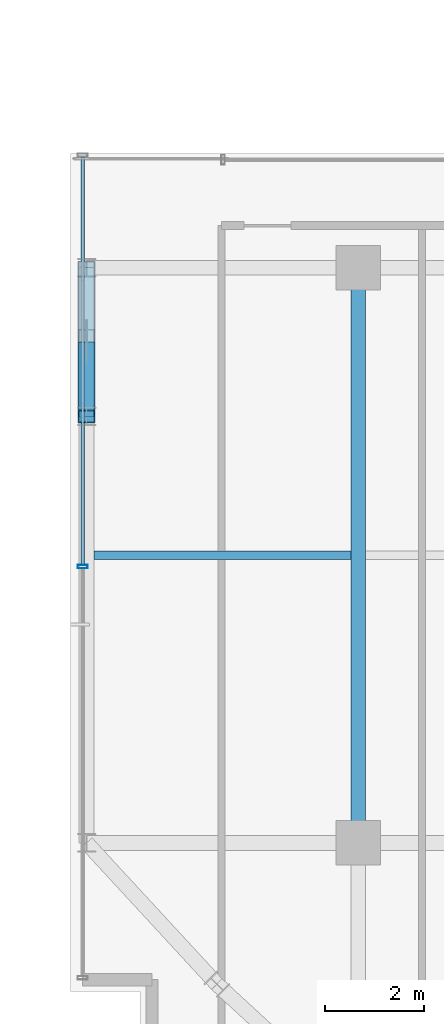
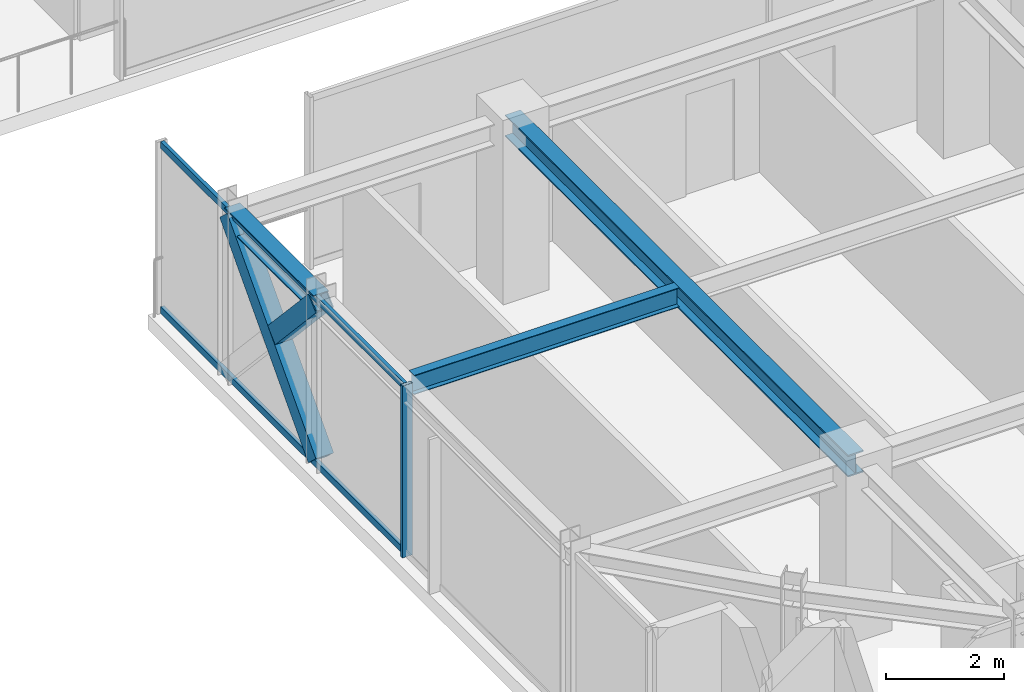
# One storey, part 6 of 41: 5 members, 3 beams, 1 element without a shape of its own.
"""IFC4 building model written with IfcOpenShell, lengths in metres."""

from ifc_helpers import new_model, si_unit, direction, frame, origin, origin_2d, place, context, subcontext, project, spatial, hollow_rectangle, i_section, extrude, source, transform, mapped, material, material_profile, profile_set, type_object, element, aggregate, save


model = new_model("IFC4")

# Units and contexts
model_context = context("Model", 3, precision=1e-05, world=origin(), true_north=direction((0.0, 1.0)))
body_context = subcontext(model_context, "Body", "Model", "MODEL_VIEW")
ifc_project = project(units=[si_unit("LENGTHUNIT", "METRE"), si_unit("AREAUNIT", "SQUARE_METRE"), si_unit("VOLUMEUNIT", "CUBIC_METRE"), si_unit("PLANEANGLEUNIT", "RADIAN"), si_unit("MASSUNIT", "GRAM", prefix="KILO")], contexts=[model_context])

# Site, building, storey
site_placement = place(None, origin())
site = spatial("IfcSite", under=ifc_project, at=site_placement, CompositionType="ELEMENT")
building_placement = place(site_placement, origin())
building = spatial("IfcBuilding", under=site, at=building_placement, Name="Nahalor Promenade Grand Hotel", CompositionType="ELEMENT")
storey_placement = place(building_placement, frame((0.0, 0.0, 304.199951171875)))
storey = spatial("IfcBuildingStorey", under=building, at=storey_placement, Name="L78", CompositionType="ELEMENT", Elevation=304.199951171875)

# Beams
ifc_material_1 = material(Name="Steel S355JR", Category="steel")
ifc_material_profile_1 = material_profile(ifc_material_1, i_section(OverallWidth=0.3, OverallDepth=0.45, WebThickness=0.014, FlangeThickness=0.026, at=origin_2d()), Name="HEB 450")
ifc_profile_set_1 = profile_set([ifc_material_profile_1], Name="Steel S355JR")
beam_type_1 = type_object("IfcBeamType", Name="Beam-Girder-HEB450", PredefinedType="BEAM", material=ifc_profile_set_1)
shared_shape_1 = source(origin(), body_context, "Body", "SweptSolid", [
    extrude(i_section(OverallWidth=0.3, OverallDepth=0.45, WebThickness=0.014, FlangeThickness=0.026, at=origin_2d()), origin(), (0.0, 0.0, 1.0), 11.60009765625),
])
beam_1_placement = place(storey_placement, frame((-17.0, -17.0, 3.324951171875), z_axis=(0.0, 1.0, 0.0), x_axis=(-1.0, 0.0, 0.0)))
element("IfcBeam", 1, at=beam_1_placement, inside=storey, type_object=beam_type_1, Name="BM-L78-GY-0-1", PredefinedType="BEAM", context=body_context, shape_type="MappedRepresentation", body=[
    mapped(shared_shape_1, transform((0.0, 0.0, 0.0), scale=1.0)),
])
ifc_material_profile_2 = material_profile(ifc_material_1, i_section(OverallWidth=0.18, OverallDepth=0.4, WebThickness=0.0086, FlangeThickness=0.0135, at=origin_2d()), Name="IPE 400")
ifc_profile_set_2 = profile_set([ifc_material_profile_2], Name="Steel S355JR")
beam_type_2 = type_object("IfcBeamType", Name="Beam-Joist-IPE400", PredefinedType="JOIST", material=ifc_profile_set_2)
shared_shape_2 = source(origin(), body_context, "Body", "SweptSolid", [
    extrude(i_section(OverallWidth=0.18, OverallDepth=0.4, WebThickness=0.0086, FlangeThickness=0.0135, at=origin_2d()), origin(), (0.0, 0.0, 1.0), 5.18017578125),
])
beam_2_placement = place(storey_placement, frame((-22.330078125, -11.199951171875, 3.35009765625), z_axis=(1.0, 0.0, 0.0), x_axis=(0.0, 1.0, 0.0)))
element("IfcBeam", 2, at=beam_2_placement, inside=storey, type_object=beam_type_2, Name="BM-L78-JSW-0-0", PredefinedType="JOIST", context=body_context, shape_type="MappedRepresentation", body=[
    mapped(shared_shape_2, transform((0.0, 0.0, 0.0), scale=1.0)),
])
ifc_material_profile_3 = material_profile(ifc_material_1, i_section(OverallWidth=0.3, OverallDepth=0.36, WebThickness=0.0125, FlangeThickness=0.0225, at=origin_2d()), Name="HEB 360")
ifc_profile_set_3 = profile_set([ifc_material_profile_3], Name="Steel S355JR")
beam_type_3 = type_object("IfcBeamType", Name="Beam-Spandrel-HEB360", PredefinedType="SPANDREL", material=ifc_profile_set_3)
shared_shape_3 = source(origin(), body_context, "Body", "SweptSolid", [
    extrude(i_section(OverallWidth=0.3, OverallDepth=0.36, WebThickness=0.0125, FlangeThickness=0.0225, at=origin_2d()), origin(), (0.0, 0.0, 1.0), 3.0),
])
beam_3_placement = place(storey_placement, frame((-22.47998046875, -8.39990234375, 3.3701171875), z_axis=(0.0, 1.0, 0.0), x_axis=(-1.0, 0.0, 0.0)))
element("IfcBeam", 3, at=beam_3_placement, inside=storey, type_object=beam_type_3, Name="BM-L78-SP-W-1", PredefinedType="SPANDREL", context=body_context, shape_type="MappedRepresentation", body=[
    mapped(shared_shape_3, transform((0.0, 0.0, 0.0), scale=1.0)),
])

# Members
ifc_material_profile_4 = material_profile(ifc_material_1, hollow_rectangle(XDim=0.35, YDim=0.35, WallThickness=0.02, at=origin_2d()), Name="SHS 350x350x20")
ifc_profile_set_4 = profile_set([ifc_material_profile_4], Name="Steel S355JR")
member_type_1 = type_object("IfcMemberType", Name="Mem-VoidBrace-SHS350", PredefinedType="BRACE", material=ifc_profile_set_4)
shared_shape_4 = source(origin(), body_context, "Body", "SweptSolid", [
    extrude(hollow_rectangle(XDim=0.35, YDim=0.35, WallThickness=0.02, at=origin_2d()), origin(), (0.0, 0.0, 1.0), 4.4228515625),
])
member_1_placement = place(storey_placement, frame((-22.47998046875, -8.39990234375, 0.150146484375), z_axis=(0.0, 0.678280102733, 0.734803444627), x_axis=(-1.0, 0.0, 0.0)))
element("IfcMember", 4, at=member_1_placement, inside=storey, type_object=member_type_1, Name="EXO-L78-VX1-W0", PredefinedType="BRACE", context=body_context, shape_type="MappedRepresentation", body=[
    mapped(shared_shape_4, transform((0.0, 0.0, 0.0), scale=1.0)),
])
shared_shape_5 = source(origin(), body_context, "Body", "SweptSolid", [
    extrude(hollow_rectangle(XDim=0.35, YDim=0.35, WallThickness=0.02, at=origin_2d()), origin(), (0.0, 0.0, 1.0), 2.02392578125),
])
member_2_placement = place(storey_placement, frame((-22.47998046875, -7.027099609375, 1.912841796875), z_axis=(0.0, -0.678255053132, 0.734826566545), x_axis=(1.0, 0.0, 0.0)))
element("IfcMember", 5, at=member_2_placement, inside=storey, type_object=member_type_1, Name="EXO-L78-VX2-W0B", PredefinedType="BRACE", context=body_context, shape_type="MappedRepresentation", body=[
    mapped(shared_shape_5, transform((0.0, 0.0, 0.0), scale=1.0)),
])

# Curtain wall, members
ifc_material_2 = material(Name="Anodised Bronze Aluminium EN AW-6063 T6", Category="aluminium")
curtain_wall_type = type_object("IfcCurtainWallType", Name="CW3 Elliptical-Void Collar Unitised Curtain Wall", PredefinedType="USERDEFINED", material=ifc_material_2)
curtain_wall_placement = place(storey_placement, origin())
curtain_wall = element("IfcCurtainWall", 6, at=curtain_wall_placement, inside=storey, type_object=curtain_wall_type, Name="L78 Curtain Wall CW-L78-W-1", ObjectType="UNITISED_CURTAIN_WALL", PredefinedType="USERDEFINED")
ifc_material_profile_5 = material_profile(ifc_material_2, hollow_rectangle(XDim=0.07, YDim=0.14, WallThickness=0.004, at=origin_2d()), Name="CWT 70x140x4")
ifc_profile_set_5 = profile_set([ifc_material_profile_5], Name="Anodised Bronze Aluminium EN AW-6063 T6")
member_type_2 = type_object("IfcMemberType", Name="CWT3 Void Collar Transom 70x140", PredefinedType="USERDEFINED", material=ifc_profile_set_5)
shared_shape_6 = source(origin(), body_context, "Body", "SweptSolid", [
    extrude(hollow_rectangle(XDim=0.07, YDim=0.14, WallThickness=0.004, at=origin_2d()), origin(), (0.0, 0.0, 1.0), 8.22509765625),
])
member_3_placement = place(storey_placement, frame((-22.56005859375, -11.39501953125, 0.070068359375), z_axis=(0.0, 1.0, 0.0), x_axis=(-1.0, 0.0, 0.0)))
member_3 = element("IfcMember", 7, at=member_3_placement, type_object=member_type_2, Name="CW-L78-W-1 Transom 1-0", ObjectType="TRANSOM", PredefinedType="USERDEFINED", context=body_context, shape_type="MappedRepresentation", body=[
    mapped(shared_shape_6, transform((0.0, 0.0, 0.0), scale=1.0)),
])
member_4_placement = place(storey_placement, frame((-22.56005859375, -11.39501953125, 3.47998046875), z_axis=(0.0, 1.0, 0.0), x_axis=(-1.0, 0.0, 0.0)))
member_4 = element("IfcMember", 8, at=member_4_placement, type_object=member_type_2, Name="CW-L78-W-1 Transom 1-1", ObjectType="TRANSOM", PredefinedType="USERDEFINED", context=body_context, shape_type="MappedRepresentation", body=[
    mapped(shared_shape_6, transform((0.0, 0.0, 0.0), scale=1.0)),
])
ifc_material_profile_6 = material_profile(ifc_material_2, hollow_rectangle(XDim=0.07, YDim=0.2, WallThickness=0.005, at=origin_2d()), Name="CWM 70x200x5")
ifc_profile_set_6 = profile_set([ifc_material_profile_6], Name="Anodised Bronze Aluminium EN AW-6063 T6")
member_type_3 = type_object("IfcMemberType", Name="CWM3 Void Collar Mullion 70x200", PredefinedType="MULLION", material=ifc_profile_set_6)
shared_shape_7 = source(origin(), body_context, "Body", "SweptSolid", [
    extrude(hollow_rectangle(XDim=0.07, YDim=0.2, WallThickness=0.005, at=origin_2d()), origin(), (0.0, 0.0, 1.0), 3.550048828125),
])
member_5_placement = place(storey_placement, frame((-22.56005859375, -11.429931640625, 0.0), z_axis=(0.0, 0.0, 1.0), x_axis=(0.0, 1.0, 0.0)))
member_5 = element("IfcMember", 9, at=member_5_placement, type_object=member_type_3, Name="CW-L78-W-1 Mullion 1", PredefinedType="MULLION", context=body_context, shape_type="MappedRepresentation", body=[
    mapped(shared_shape_7, transform((0.0, 0.0, 0.0), scale=1.0)),
])
aggregate(curtain_wall, [member_5, member_3, member_4])

save(model, "model.ifc")
